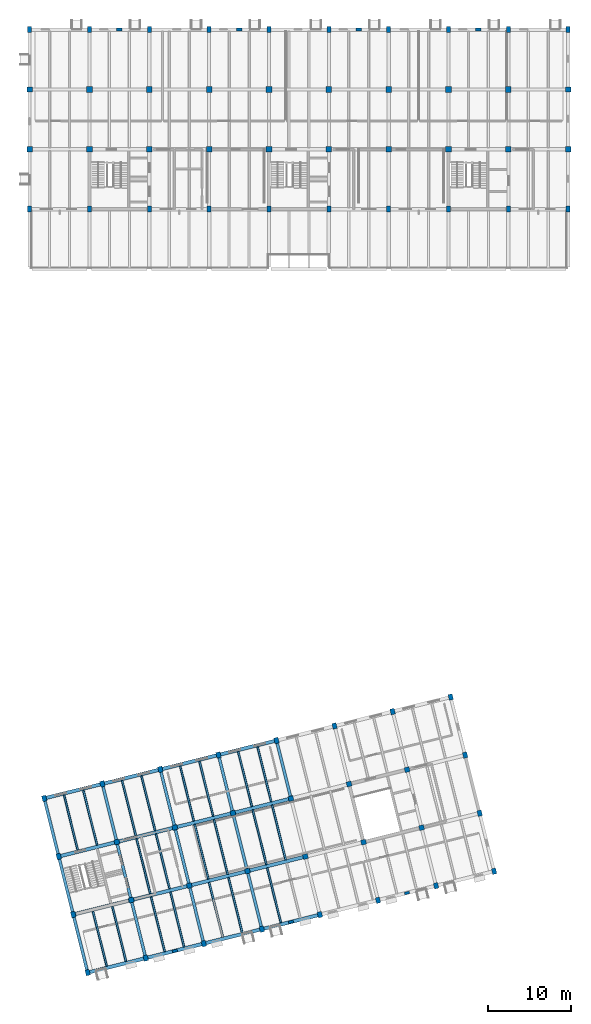
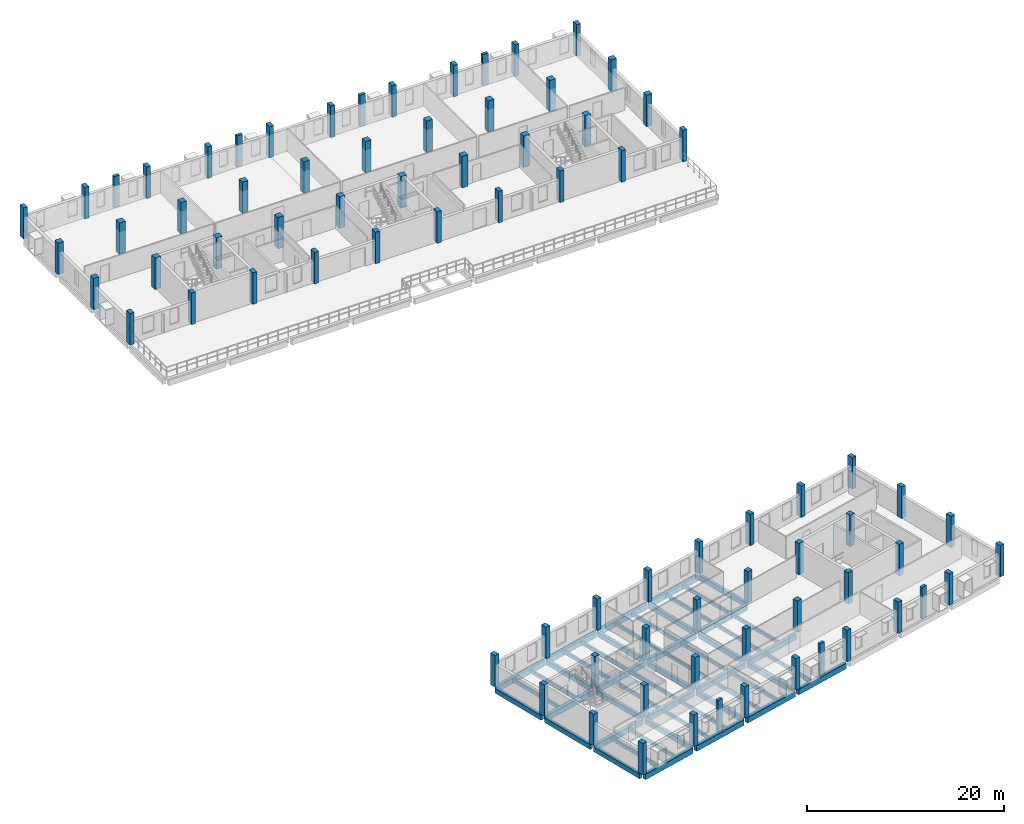
# One storey, part 1 of 14: 79 columns, 50 beams.
"""IFC4 building model written with IfcOpenShell, lengths in metres."""

from ifc_helpers import new_model, si_unit, direction, frame, origin, origin_2d, place, context, subcontext, project, spatial, rectangle, extrude, material, material_profile, profile_set, type_object, element, save


model = new_model("IFC4")

# Units and contexts
model_context = context("Model", 3, precision=1e-05, world=origin(), true_north=direction((0.0, 1.0)))
body_context = subcontext(model_context, "Body", "Model", "MODEL_VIEW")
ifc_project = project(units=[si_unit("LENGTHUNIT", "METRE"), si_unit("AREAUNIT", "SQUARE_METRE"), si_unit("VOLUMEUNIT", "CUBIC_METRE"), si_unit("PLANEANGLEUNIT", "RADIAN"), si_unit("MASSUNIT", "GRAM", prefix="KILO")], contexts=[model_context])

# Site, building, storey
site_placement = place(None, origin())
site = spatial("IfcSite", under=ifc_project, at=site_placement, CompositionType="ELEMENT")
building_placement = place(site_placement, origin())
building = spatial("IfcBuilding", under=site, at=building_placement, Name="Qiaolan Assembly House", CompositionType="ELEMENT")
storey_placement = place(building_placement, frame((0.0, 0.0, 22.5)))
storey = spatial("IfcBuildingStorey", under=building, at=storey_placement, Name="L05", CompositionType="ELEMENT", Elevation=22.5)

# Columns
ifc_material_1 = material(Name="Concrete C40/50", Category="concrete")
ifc_material_profile_1 = material_profile(ifc_material_1, rectangle(XDim=0.60009765625, YDim=0.60009765625, at=origin_2d()), Name="RC 600x600")
ifc_profile_set_1 = profile_set([ifc_material_profile_1], Name="Concrete C40/50")
column_type_1 = type_object("IfcColumnType", Name="COL-RC-600", PredefinedType="COLUMN", material=ifc_profile_set_1)
for number, where, z_axis, x_axis, name in (
    (1, (48.23046875, 10.4697265625, 0.0), (0.0, 0.0, 1.0), (0.970295726276, 0.2419218956, 0.0), "RC-09 splayed column SE L05"),
    (2, (46.488525390625, 17.4560546875, 0.0), (0.0, 0.0, 1.0), (0.970295726276, 0.2419218956, 0.0), "RC-09 splayed column SE L05"),
    (3, (55.216552734375, 12.211669921875, 0.0), (0.0, 0.0, 1.0), (0.970295726276, 0.2419218956, 0.0), "RC-09 splayed column SE L05"),
    (4, (53.474609375, 19.19775390625, 0.0), (0.0, 0.0, 1.0), (0.970295726276, 0.2419218956, 0.0), "RC-09 splayed column SE L05"),
    (5, (62.20263671875, 13.953369140625, 0.0), (0.0, 0.0, 1.0), (0.970295726276, 0.2419218956, 0.0), "RC-09 splayed column SE L05"),
    (6, (60.4609375, 20.939697265625, 0.0), (0.0, 0.0, 1.0), (0.970295726276, 0.2419218956, 0.0), "RC-09 splayed column SE L05"),
    (7, (69.188720703125, 15.6953125, 0.0), (0.0, 0.0, 1.0), (0.970295726276, 0.2419218956, 0.0), "RC-09 splayed column SE L05"),
    (8, (67.447021484375, 22.681396484375, 0.0), (0.0, 0.0, 1.0), (0.970295726276, 0.2419218956, 0.0), "RC-09 splayed column SE L05"),
    (9, (76.175048828125, 17.437255859375, 0.0), (0.0, 0.0, 1.0), (0.970295726276, 0.2419218956, 0.0), "RC-09 splayed column SE L05"),
    (10, (74.43310546875, 24.42333984375, 0.0), (0.0, 0.0, 1.0), (0.970295726276, 0.2419218956, 0.0), "RC-09 splayed column SE L05"),
    (11, (83.1611328125, 19.178955078125, 0.0), (0.0, 0.0, 1.0), (0.970295726276, 0.2419218956, 0.0), "RC-09 splayed column SE L05"),
    (12, (81.419189453125, 26.1650390625, 0.0), (0.0, 0.0, 1.0), (0.970295726276, 0.2419218956, 0.0), "RC-09 splayed column SE L05"),
):
    element("IfcColumn", number, at=place(storey_placement, frame(where, z_axis=z_axis, x_axis=x_axis)), inside=storey, type_object=column_type_1, Name=name, PredefinedType="COLUMN", context=body_context, shape_type="SweptSolid", body=[
        extrude(rectangle(XDim=0.60009765625, YDim=0.60009765625, at=origin_2d()), origin(), (0.0, 0.0, 1.0), 3.89990234375),
    ])
ifc_material_profile_2 = material_profile(ifc_material_1, rectangle(XDim=0.64990234375, YDim=0.64990234375, at=origin_2d()), Name="RC 650x650")
ifc_profile_set_2 = profile_set([ifc_material_profile_2], Name="Concrete C40/50")
column_type_2 = type_object("IfcColumnType", Name="COL-RC-650", PredefinedType="COLUMN", material=ifc_profile_set_2)
for number, where, z_axis, x_axis, name in (
    (13, (36.0, 100.800048828125, 0.0), (0.0, 0.0, 1.0), (1.0, 0.0, 0.0), "RC-08 column NW L05"),
    (14, (36.0, 108.0, 0.0), (0.0, 0.0, 1.0), (1.0, 0.0, 0.0), "RC-08 column NW L05"),
    (15, (100.800048828125, 100.800048828125, 0.0), (0.0, 0.0, 1.0), (1.0, 0.0, 0.0), "RC-08 column NW L05"),
    (16, (100.800048828125, 108.0, 0.0), (0.0, 0.0, 1.0), (1.0, 0.0, 0.0), "RC-08 column NW L05"),
):
    element("IfcColumn", number, at=place(storey_placement, frame(where, z_axis=z_axis, x_axis=x_axis)), inside=storey, type_object=column_type_2, Name=name, PredefinedType="COLUMN", context=body_context, shape_type="SweptSolid", body=[
        extrude(rectangle(XDim=0.64990234375, YDim=0.64990234375, at=origin_2d()), origin(), (0.0, 0.0, 1.0), 3.89990234375),
    ])
ifc_material_profile_3 = material_profile(ifc_material_1, rectangle(XDim=0.679931640625, YDim=0.679931640625, at=origin_2d()), Name="RC 680x680")
ifc_profile_set_3 = profile_set([ifc_material_profile_3], Name="Concrete C40/50")
column_type_3 = type_object("IfcColumnType", Name="COL-RC-680", PredefinedType="COLUMN", material=ifc_profile_set_3)
for number, where, z_axis, x_axis, name in (
    (17, (43.199951171875, 100.800048828125, 0.0), (0.0, 0.0, 1.0), (1.0, 0.0, 0.0), "RC-21 column NW L05"),
    (18, (43.199951171875, 108.0, 0.0), (0.0, 0.0, 1.0), (1.0, 0.0, 0.0), "RC-21 column NW L05"),
    (19, (50.39990234375, 100.800048828125, 0.0), (0.0, 0.0, 1.0), (1.0, 0.0, 0.0), "RC-21 column NW L05"),
    (20, (50.39990234375, 108.0, 0.0), (0.0, 0.0, 1.0), (1.0, 0.0, 0.0), "RC-21 column NW L05"),
    (21, (57.60009765625, 100.800048828125, 0.0), (0.0, 0.0, 1.0), (1.0, 0.0, 0.0), "RC-21 column NW L05"),
    (22, (57.60009765625, 108.0, 0.0), (0.0, 0.0, 1.0), (1.0, 0.0, 0.0), "RC-21 column NW L05"),
    (23, (64.800048828125, 100.800048828125, 0.0), (0.0, 0.0, 1.0), (1.0, 0.0, 0.0), "RC-21 column NW L05"),
    (24, (64.800048828125, 108.0, 0.0), (0.0, 0.0, 1.0), (1.0, 0.0, 0.0), "RC-21 column NW L05"),
    (25, (72.0, 100.800048828125, 0.0), (0.0, 0.0, 1.0), (1.0, 0.0, 0.0), "RC-21 column NW L05"),
    (26, (72.0, 108.0, 0.0), (0.0, 0.0, 1.0), (1.0, 0.0, 0.0), "RC-21 column NW L05"),
    (27, (79.199951171875, 100.800048828125, 0.0), (0.0, 0.0, 1.0), (1.0, 0.0, 0.0), "RC-21 column NW L05"),
    (28, (79.199951171875, 108.0, 0.0), (0.0, 0.0, 1.0), (1.0, 0.0, 0.0), "RC-21 column NW L05"),
    (29, (86.39990234375, 100.800048828125, 0.0), (0.0, 0.0, 1.0), (1.0, 0.0, 0.0), "RC-21 column NW L05"),
    (30, (86.39990234375, 108.0, 0.0), (0.0, 0.0, 1.0), (1.0, 0.0, 0.0), "RC-21 column NW L05"),
    (31, (93.60009765625, 100.800048828125, 0.0), (0.0, 0.0, 1.0), (1.0, 0.0, 0.0), "RC-21 column NW L05"),
    (32, (93.60009765625, 108.0, 0.0), (0.0, 0.0, 1.0), (1.0, 0.0, 0.0), "RC-21 column NW L05"),
):
    element("IfcColumn", number, at=place(storey_placement, frame(where, z_axis=z_axis, x_axis=x_axis)), inside=storey, type_object=column_type_3, Name=name, PredefinedType="COLUMN", context=body_context, shape_type="SweptSolid", body=[
        extrude(rectangle(XDim=0.679931640625, YDim=0.679931640625, at=origin_2d()), origin(), (0.0, 0.0, 1.0), 3.89990234375),
    ])
ifc_material_profile_4 = material_profile(ifc_material_1, rectangle(XDim=0.52001953125, YDim=0.699951171875, at=origin_2d()), Name="RC 700x520")
ifc_profile_set_4 = profile_set([ifc_material_profile_4], Name="Concrete C40/50")
column_type_4 = type_object("IfcColumnType", Name="COL-RC-700x520", PredefinedType="COLUMN", material=ifc_profile_set_4)
for number, where, z_axis, x_axis, name in (
    (33, (42.986083984375, 1.741943359375, 0.0), (0.0, 0.0, 1.0), (0.970295726276, 0.2419218956, 0.0), "RC-16 splayed column SE L05"),
    (34, (41.244384765625, 8.72802734375, 0.0), (0.0, 0.0, 1.0), (0.970295726276, 0.2419218956, 0.0), "RC-16 splayed column SE L05"),
    (35, (39.50244140625, 15.714111328125, 0.0), (0.0, 0.0, 1.0), (0.970295726276, 0.2419218956, 0.0), "RC-16 splayed column SE L05"),
    (36, (37.760498046875, 22.7001953125, 0.0), (0.0, 0.0, 1.0), (0.970295726276, 0.2419218956, 0.0), "RC-16 splayed column SE L05"),
    (37, (49.97216796875, 3.483642578125, 0.0), (0.0, 0.0, 1.0), (0.970295726276, 0.2419218956, 0.0), "RC-16 splayed column SE L05"),
    (38, (44.746826171875, 24.442138671875, 0.0), (0.0, 0.0, 1.0), (0.970295726276, 0.2419218956, 0.0), "RC-16 splayed column SE L05"),
    (39, (56.95849609375, 5.2255859375, 0.0), (0.0, 0.0, 1.0), (0.970295726276, 0.2419218956, 0.0), "RC-16 splayed column SE L05"),
    (40, (51.73291015625, 26.183837890625, 0.0), (0.0, 0.0, 1.0), (0.970295726276, 0.2419218956, 0.0), "RC-16 splayed column SE L05"),
    (41, (63.944580078125, 6.96728515625, 0.0), (0.0, 0.0, 1.0), (0.970295726276, 0.2419218956, 0.0), "RC-16 splayed column SE L05"),
    (42, (58.718994140625, 27.92578125, 0.0), (0.0, 0.0, 1.0), (0.970295726276, 0.2419218956, 0.0), "RC-16 splayed column SE L05"),
    (43, (70.9306640625, 8.709228515625, 0.0), (0.0, 0.0, 1.0), (0.970295726276, 0.2419218956, 0.0), "RC-16 splayed column SE L05"),
    (44, (65.705078125, 29.66748046875, 0.0), (0.0, 0.0, 1.0), (0.970295726276, 0.2419218956, 0.0), "RC-16 splayed column SE L05"),
    (45, (77.916748046875, 10.450927734375, 0.0), (0.0, 0.0, 1.0), (0.970295726276, 0.2419218956, 0.0), "RC-16 splayed column SE L05"),
    (46, (72.691162109375, 31.409423828125, 0.0), (0.0, 0.0, 1.0), (0.970295726276, 0.2419218956, 0.0), "RC-16 splayed column SE L05"),
    (47, (84.90283203125, 12.19287109375, 0.0), (0.0, 0.0, 1.0), (0.970295726276, 0.2419218956, 0.0), "RC-16 splayed column SE L05"),
    (48, (79.677490234375, 33.1513671875, 0.0), (0.0, 0.0, 1.0), (0.970295726276, 0.2419218956, 0.0), "RC-16 splayed column SE L05"),
    (49, (91.888916015625, 13.934814453125, 0.0), (0.0, 0.0, 1.0), (0.970295726276, 0.2419218956, 0.0), "RC-16 splayed column SE L05"),
    (50, (90.147216796875, 20.9208984375, 0.0), (0.0, 0.0, 1.0), (0.970295726276, 0.2419218956, 0.0), "RC-16 splayed column SE L05"),
    (51, (88.4052734375, 27.906982421875, 0.0), (0.0, 0.0, 1.0), (0.970295726276, 0.2419218956, 0.0), "RC-16 splayed column SE L05"),
    (52, (86.66357421875, 34.89306640625, 0.0), (0.0, 0.0, 1.0), (0.970295726276, 0.2419218956, 0.0), "RC-16 splayed column SE L05"),
):
    element("IfcColumn", number, at=place(storey_placement, frame(where, z_axis=z_axis, x_axis=x_axis)), inside=storey, type_object=column_type_4, Name=name, PredefinedType="COLUMN", context=body_context, shape_type="SweptSolid", body=[
        extrude(rectangle(XDim=0.52001953125, YDim=0.699951171875, at=origin_2d()), origin(), (0.0, 0.0, 1.0), 3.89990234375),
    ])
ifc_material_profile_5 = material_profile(ifc_material_1, rectangle(XDim=0.47998046875, YDim=0.7099609375, at=origin_2d()), Name="RC 710x480")
ifc_profile_set_5 = profile_set([ifc_material_profile_5], Name="Concrete C40/50")
column_type_5 = type_object("IfcColumnType", Name="COL-RC-710x480", PredefinedType="COLUMN", material=ifc_profile_set_5)
for number, where, z_axis, x_axis, name in (
    (53, (36.0, 93.60009765625, 0.0), (0.0, 0.0, 1.0), (1.0, 0.0, 0.0), "RC-19 column NW L05"),
    (54, (36.0, 115.199951171875, 0.0), (0.0, 0.0, 1.0), (1.0, 0.0, 0.0), "RC-19 column NW L05"),
    (55, (43.199951171875, 93.60009765625, 0.0), (0.0, 0.0, 1.0), (1.0, 0.0, 0.0), "RC-19 column NW L05"),
    (56, (43.199951171875, 115.199951171875, 0.0), (0.0, 0.0, 1.0), (1.0, 0.0, 0.0), "RC-19 column NW L05"),
    (57, (50.39990234375, 93.60009765625, 0.0), (0.0, 0.0, 1.0), (1.0, 0.0, 0.0), "RC-19 column NW L05"),
    (58, (50.39990234375, 115.199951171875, 0.0), (0.0, 0.0, 1.0), (1.0, 0.0, 0.0), "RC-19 column NW L05"),
    (59, (57.60009765625, 93.60009765625, 0.0), (0.0, 0.0, 1.0), (1.0, 0.0, 0.0), "RC-19 column NW L05"),
    (60, (57.60009765625, 115.199951171875, 0.0), (0.0, 0.0, 1.0), (1.0, 0.0, 0.0), "RC-19 column NW L05"),
    (61, (64.800048828125, 93.60009765625, 0.0), (0.0, 0.0, 1.0), (1.0, 0.0, 0.0), "RC-19 column NW L05"),
    (62, (64.800048828125, 115.199951171875, 0.0), (0.0, 0.0, 1.0), (1.0, 0.0, 0.0), "RC-19 column NW L05"),
    (63, (72.0, 93.60009765625, 0.0), (0.0, 0.0, 1.0), (1.0, 0.0, 0.0), "RC-19 column NW L05"),
    (64, (72.0, 115.199951171875, 0.0), (0.0, 0.0, 1.0), (1.0, 0.0, 0.0), "RC-19 column NW L05"),
    (65, (79.199951171875, 93.60009765625, 0.0), (0.0, 0.0, 1.0), (1.0, 0.0, 0.0), "RC-19 column NW L05"),
    (66, (79.199951171875, 115.199951171875, 0.0), (0.0, 0.0, 1.0), (1.0, 0.0, 0.0), "RC-19 column NW L05"),
    (67, (86.39990234375, 93.60009765625, 0.0), (0.0, 0.0, 1.0), (1.0, 0.0, 0.0), "RC-19 column NW L05"),
    (68, (86.39990234375, 115.199951171875, 0.0), (0.0, 0.0, 1.0), (1.0, 0.0, 0.0), "RC-19 column NW L05"),
    (69, (93.60009765625, 93.60009765625, 0.0), (0.0, 0.0, 1.0), (1.0, 0.0, 0.0), "RC-19 column NW L05"),
    (70, (93.60009765625, 115.199951171875, 0.0), (0.0, 0.0, 1.0), (1.0, 0.0, 0.0), "RC-19 column NW L05"),
    (71, (100.800048828125, 93.60009765625, 0.0), (0.0, 0.0, 1.0), (1.0, 0.0, 0.0), "RC-19 column NW L05"),
    (72, (100.800048828125, 115.199951171875, 0.0), (0.0, 0.0, 1.0), (1.0, 0.0, 0.0), "RC-19 column NW L05"),
):
    element("IfcColumn", number, at=place(storey_placement, frame(where, z_axis=z_axis, x_axis=x_axis)), inside=storey, type_object=column_type_5, Name=name, PredefinedType="COLUMN", context=body_context, shape_type="SweptSolid", body=[
        extrude(rectangle(XDim=0.47998046875, YDim=0.7099609375, at=origin_2d()), origin(), (0.0, 0.0, 1.0), 3.89990234375),
    ])
ifc_material_2 = material(Name="Precast concrete C45/55", Category="concrete")
ifc_material_profile_6 = material_profile(ifc_material_2, rectangle(XDim=0.659912109375, YDim=0.35009765625, at=origin_2d()), Name="PIL 660x350")
ifc_profile_set_6 = profile_set([ifc_material_profile_6], Name="Precast concrete C45/55")
column_type_6 = type_object("IfcColumnType", Name="PIL-NW-660x350", PredefinedType="PILASTER", material=ifc_profile_set_6)
for number, where, z_axis, x_axis, name in (
    (73, (46.800048828125, 115.199951171875, 0.0), (0.0, 0.0, 1.0), (1.0, 0.0, 0.0), "PL-07 neoclassical pilaster NW L05"),
    (74, (61.199951171875, 115.199951171875, 0.0), (0.0, 0.0, 1.0), (1.0, 0.0, 0.0), "PL-07 neoclassical pilaster NW L05"),
    (75, (75.60009765625, 115.199951171875, 0.0), (0.0, 0.0, 1.0), (1.0, 0.0, 0.0), "PL-07 neoclassical pilaster NW L05"),
    (76, (90.0, 115.199951171875, 0.0), (0.0, 0.0, 1.0), (1.0, 0.0, 0.0), "PL-07 neoclassical pilaster NW L05"),
):
    element("IfcColumn", number, at=place(storey_placement, frame(where, z_axis=z_axis, x_axis=x_axis)), inside=storey, type_object=column_type_6, Name=name, PredefinedType="PILASTER", context=body_context, shape_type="SweptSolid", body=[
        extrude(rectangle(XDim=0.659912109375, YDim=0.35009765625, at=origin_2d()), origin(), (0.0, 0.0, 1.0), 3.89990234375),
    ])
ifc_material_profile_7 = material_profile(ifc_material_2, rectangle(XDim=0.610107421875, YDim=0.320068359375, at=origin_2d()), Name="PIL 610x320")
ifc_profile_set_7 = profile_set([ifc_material_profile_7], Name="Precast concrete C45/55")
column_type_7 = type_object("IfcColumnType", Name="PIL-SE-610x320", PredefinedType="PILASTER", material=ifc_profile_set_7)
for number, where, z_axis, x_axis, name in (
    (77, (53.46533203125, 4.3544921875, 0.0), (0.0, 0.0, 1.0), (0.970295726276, 0.2419218956, 0.0), "PL-08 boulevard pilaster SE L05"),
    (78, (67.4375, 7.83837890625, 0.0), (0.0, 0.0, 1.0), (0.970295726276, 0.2419218956, 0.0), "PL-08 boulevard pilaster SE L05"),
    (79, (81.409912109375, 11.322021484375, 0.0), (0.0, 0.0, 1.0), (0.970295726276, 0.2419218956, 0.0), "PL-08 boulevard pilaster SE L05"),
):
    element("IfcColumn", number, at=place(storey_placement, frame(where, z_axis=z_axis, x_axis=x_axis)), inside=storey, type_object=column_type_7, Name=name, PredefinedType="PILASTER", context=body_context, shape_type="SweptSolid", body=[
        extrude(rectangle(XDim=0.610107421875, YDim=0.320068359375, at=origin_2d()), origin(), (0.0, 0.0, 1.0), 3.89990234375),
    ])

# Beams
ifc_material_profile_8 = material_profile(ifc_material_1, rectangle(XDim=0.35009765625, YDim=0.60009765625, at=origin_2d()), Name="RCB 350x600")
ifc_profile_set_8 = profile_set([ifc_material_profile_8], Name="Concrete C40/50")
beam_type_1 = type_object("IfcBeamType", Name="BM-RC-350x600", PredefinedType="BEAM", material=ifc_profile_set_8)
for number, where, z_axis, x_axis, name in (
    (80, (42.925537109375, 1.984375, -0.514892578125), (-0.241918257079, 0.970296633454, 0.0), (-0.970296633454, -0.241918257079, 0.0), "GB-08 beam BMV-SE-L05-00-00"),
    (81, (41.183837890625, 8.970458984375, -0.514892578125), (-0.241918257079, 0.970296633454, 0.0), (-0.970296633454, -0.241918257079, 0.0), "GB-08 beam BMV-SE-L05-00-01"),
    (82, (39.44189453125, 15.956787109375, -0.514892578125), (-0.241918257079, 0.970296633454, 0.0), (-0.970296633454, -0.241918257079, 0.0), "GB-08 beam BMV-SE-L05-00-02"),
):
    element("IfcBeam", number, at=place(storey_placement, frame(where, z_axis=z_axis, x_axis=x_axis)), inside=storey, type_object=beam_type_1, Name=name, PredefinedType="BEAM", context=body_context, shape_type="SweptSolid", body=[
        extrude(rectangle(XDim=0.35009765625, YDim=0.60009765625, at=origin_2d()), origin(), (0.0, 0.0, 1.0), 6.699951171875),
    ])
beam_1_placement = place(storey_placement, frame((49.911865234375, 3.726318359375, -0.514892578125), z_axis=(-0.241940431812, 0.970291104491, 0.0), x_axis=(-0.970291104491, -0.241940431812, 0.0)))
element("IfcBeam", 83, at=beam_1_placement, inside=storey, type_object=beam_type_1, Name="GB-08 beam BMV-SE-L05-01-00", PredefinedType="BEAM", context=body_context, shape_type="SweptSolid", body=[
    extrude(rectangle(XDim=0.35009765625, YDim=0.60009765625, at=origin_2d()), origin(), (0.0, 0.0, 1.0), 6.659912109375),
])
beam_2_placement = place(storey_placement, frame((48.16015625, 10.751220703125, -0.514892578125), z_axis=(-0.241893432628, 0.970302822448, 0.0), x_axis=(-0.970302822448, -0.241893432628, 0.0)))
element("IfcBeam", 84, at=beam_2_placement, inside=storey, type_object=beam_type_1, Name="GB-08 beam BMV-SE-L05-01-01", PredefinedType="BEAM", context=body_context, shape_type="SweptSolid", body=[
    extrude(rectangle(XDim=0.35009765625, YDim=0.60009765625, at=origin_2d()), origin(), (0.0, 0.0, 1.0), 6.619873046875),
])
for number, where, z_axis, x_axis, name in (
    (85, (46.41845703125, 17.7373046875, -0.514892578125), (-0.241940431812, 0.970291104491, 0.0), (-0.970291104491, -0.241940431812, 0.0), "GB-08 beam BMV-SE-L05-01-02"),
    (86, (56.89794921875, 5.468017578125, -0.514892578125), (-0.241940431812, 0.970291104491, 0.0), (-0.970291104491, -0.241940431812, 0.0), "GB-08 beam BMV-SE-L05-02-00"),
):
    element("IfcBeam", number, at=place(storey_placement, frame(where, z_axis=z_axis, x_axis=x_axis)), inside=storey, type_object=beam_type_1, Name=name, PredefinedType="BEAM", context=body_context, shape_type="SweptSolid", body=[
        extrude(rectangle(XDim=0.35009765625, YDim=0.60009765625, at=origin_2d()), origin(), (0.0, 0.0, 1.0), 6.659912109375),
    ])
beam_3_placement = place(storey_placement, frame((55.146484375, 12.492919921875, -0.514892578125), z_axis=(-0.241919497068, 0.970296324294, 0.0), x_axis=(-0.970296324294, -0.241919497068, 0.0)))
element("IfcBeam", 87, at=beam_3_placement, inside=storey, type_object=beam_type_1, Name="GB-08 beam BMV-SE-L05-02-01", PredefinedType="BEAM", context=body_context, shape_type="SweptSolid", body=[
    extrude(rectangle(XDim=0.35009765625, YDim=0.60009765625, at=origin_2d()), origin(), (0.0, 0.0, 1.0), 6.6201171875),
])
for number, where, z_axis, x_axis, name in (
    (88, (53.404541015625, 19.479248046875, -0.514892578125), (-0.241905919473, 0.970299709432, 0.0), (-0.970299709432, -0.241905919473, 0.0), "GB-08 beam BMV-SE-L05-02-02"),
    (89, (63.884033203125, 7.2099609375, -0.514892578125), (-0.241905919473, 0.970299709432, 0.0), (-0.970299709432, -0.241905919473, 0.0), "GB-08 beam BMV-SE-L05-03-00"),
):
    element("IfcBeam", number, at=place(storey_placement, frame(where, z_axis=z_axis, x_axis=x_axis)), inside=storey, type_object=beam_type_1, Name=name, PredefinedType="BEAM", context=body_context, shape_type="SweptSolid", body=[
        extrude(rectangle(XDim=0.35009765625, YDim=0.60009765625, at=origin_2d()), origin(), (0.0, 0.0, 1.0), 6.659912109375),
    ])
beam_4_placement = place(storey_placement, frame((62.132568359375, 14.23486328125, -0.514892578125), z_axis=(-0.241928153868, 0.970294165893, 0.0), x_axis=(-0.970294165893, -0.241928153868, 0.0)))
element("IfcBeam", 90, at=beam_4_placement, inside=storey, type_object=beam_type_1, Name="GB-08 beam BMV-SE-L05-03-01", PredefinedType="BEAM", context=body_context, shape_type="SweptSolid", body=[
    extrude(rectangle(XDim=0.35009765625, YDim=0.60009765625, at=origin_2d()), origin(), (0.0, 0.0, 1.0), 6.619873046875),
])
for number, where, z_axis, x_axis, name in (
    (91, (60.390625, 21.220947265625, -0.514892578125), (-0.241905919473, 0.970299709432, 0.0), (-0.970299709432, -0.241905919473, 0.0), "GB-08 beam BMV-SE-L05-03-02"),
    (92, (67.376708984375, 22.962890625, -0.514892578125), (-0.241905919473, 0.970299709432, 0.0), (-0.970299709432, -0.241905919473, 0.0), "GB-08 beam BMV-SE-L05-04-02"),
):
    element("IfcBeam", number, at=place(storey_placement, frame(where, z_axis=z_axis, x_axis=x_axis)), inside=storey, type_object=beam_type_1, Name=name, PredefinedType="BEAM", context=body_context, shape_type="SweptSolid", body=[
        extrude(rectangle(XDim=0.35009765625, YDim=0.60009765625, at=origin_2d()), origin(), (0.0, 0.0, 1.0), 6.659912109375),
    ])
ifc_material_profile_9 = material_profile(ifc_material_1, rectangle(XDim=0.419921875, YDim=0.679931640625, at=origin_2d()), Name="RCB 420x680")
ifc_profile_set_9 = profile_set([ifc_material_profile_9], Name="Concrete C40/50")
beam_type_2 = type_object("IfcBeamType", Name="BM-RC-420x680", PredefinedType="BEAM", material=ifc_profile_set_9)
for number, where, z_axis, x_axis, name in (
    (93, (43.228759765625, 1.80224609375, -0.554931640625), (0.970296633454, 0.241918257079, 0.0), (-0.241918257079, 0.970296633454, 0.0), "GB-12 beam BMU-SE-L05-00-00"),
    (94, (50.21484375, 3.544189453125, -0.554931640625), (0.970296633454, 0.241918257079, 0.0), (-0.241918257079, 0.970296633454, 0.0), "GB-12 beam BMU-SE-L05-01-00"),
    (95, (57.200927734375, 5.285888671875, -0.554931640625), (0.970288079516, 0.241952563016, 0.0), (-0.241952563016, 0.970288079516, 0.0), "GB-12 beam BMU-SE-L05-02-00"),
    (96, (64.18701171875, 7.02783203125, -0.554931640625), (0.970296633454, 0.241918257079, 0.0), (-0.241918257079, 0.970296633454, 0.0), "GB-12 beam BMU-SE-L05-03-00"),
):
    element("IfcBeam", number, at=place(storey_placement, frame(where, z_axis=z_axis, x_axis=x_axis)), inside=storey, type_object=beam_type_2, Name=name, PredefinedType="BEAM", context=body_context, shape_type="SweptSolid", body=[
        extrude(rectangle(XDim=0.419921875, YDim=0.679931640625, at=origin_2d()), origin(), (0.0, 0.0, 1.0), 6.699951171875),
    ])
beam_5_placement = place(storey_placement, frame((41.48681640625, 8.788330078125, -0.554931640625), z_axis=(0.970291104491, 0.241940431812, 0.0), x_axis=(-0.241940431812, 0.970291104491, 0.0)))
element("IfcBeam", 97, at=beam_5_placement, inside=storey, type_object=beam_type_2, Name="GB-12 beam BMU-SE-L05-00-01", PredefinedType="BEAM", context=body_context, shape_type="SweptSolid", body=[
    extrude(rectangle(XDim=0.419921875, YDim=0.679931640625, at=origin_2d()), origin(), (0.0, 0.0, 1.0), 6.659912109375),
])
for number, where, z_axis, x_axis, name in (
    (98, (48.51171875, 10.5400390625, -0.554931640625), (0.970294165893, 0.241928153868, 0.0), (-0.241928153868, 0.970294165893, 0.0), "GB-12 beam BMU-SE-L05-01-01"),
    (99, (55.498046875, 12.28173828125, -0.554931640625), (0.970294165893, 0.241928153868, 0.0), (-0.241928153868, 0.970294165893, 0.0), "GB-12 beam BMU-SE-L05-02-01"),
    (100, (62.484130859375, 14.023681640625, -0.554931640625), (0.970294165893, 0.241928153868, 0.0), (-0.241928153868, 0.970294165893, 0.0), "GB-12 beam BMU-SE-L05-03-01"),
):
    element("IfcBeam", number, at=place(storey_placement, frame(where, z_axis=z_axis, x_axis=x_axis)), inside=storey, type_object=beam_type_2, Name=name, PredefinedType="BEAM", context=body_context, shape_type="SweptSolid", body=[
        extrude(rectangle(XDim=0.419921875, YDim=0.679931640625, at=origin_2d()), origin(), (0.0, 0.0, 1.0), 6.619873046875),
    ])
beam_6_placement = place(storey_placement, frame((39.7451171875, 15.774658203125, -0.554931640625), z_axis=(0.970299709432, 0.241905919473, 0.0), x_axis=(-0.241905919473, 0.970299709432, 0.0)))
element("IfcBeam", 101, at=beam_6_placement, inside=storey, type_object=beam_type_2, Name="GB-12 beam BMU-SE-L05-00-02", PredefinedType="BEAM", context=body_context, shape_type="SweptSolid", body=[
    extrude(rectangle(XDim=0.419921875, YDim=0.679931640625, at=origin_2d()), origin(), (0.0, 0.0, 1.0), 6.659912109375),
])
for number, where, z_axis, x_axis, name in (
    (102, (46.77001953125, 17.526123046875, -0.554931640625), (0.970294165893, 0.241928153868, 0.0), (-0.241928153868, 0.970294165893, 0.0), "GB-12 beam BMU-SE-L05-01-02"),
    (103, (53.756103515625, 19.267822265625, -0.554931640625), (0.970294165893, 0.241928153868, 0.0), (-0.241928153868, 0.970294165893, 0.0), "GB-12 beam BMU-SE-L05-02-02"),
    (104, (60.7421875, 21.009765625, -0.554931640625), (0.970294165893, 0.241928153868, 0.0), (-0.241928153868, 0.970294165893, 0.0), "GB-12 beam BMU-SE-L05-03-02"),
):
    element("IfcBeam", number, at=place(storey_placement, frame(where, z_axis=z_axis, x_axis=x_axis)), inside=storey, type_object=beam_type_2, Name=name, PredefinedType="BEAM", context=body_context, shape_type="SweptSolid", body=[
        extrude(rectangle(XDim=0.419921875, YDim=0.679931640625, at=origin_2d()), origin(), (0.0, 0.0, 1.0), 6.619873046875),
    ])
for number, where, z_axis, x_axis, name in (
    (105, (38.003173828125, 22.7607421875, -0.554931640625), (0.970296633454, 0.241918257079, 0.0), (-0.241918257079, 0.970296633454, 0.0), "GB-12 beam BMU-SE-L05-00-03"),
    (106, (44.9892578125, 24.50244140625, -0.554931640625), (0.970288079516, 0.241952563016, 0.0), (-0.241952563016, 0.970288079516, 0.0), "GB-12 beam BMU-SE-L05-01-03"),
    (107, (51.975341796875, 26.244384765625, -0.554931640625), (0.970296633454, 0.241918257079, 0.0), (-0.241918257079, 0.970296633454, 0.0), "GB-12 beam BMU-SE-L05-02-03"),
    (108, (58.961669921875, 27.986328125, -0.554931640625), (0.970296633454, 0.241918257079, 0.0), (-0.241918257079, 0.970296633454, 0.0), "GB-12 beam BMU-SE-L05-03-03"),
):
    element("IfcBeam", number, at=place(storey_placement, frame(where, z_axis=z_axis, x_axis=x_axis)), inside=storey, type_object=beam_type_2, Name=name, PredefinedType="BEAM", context=body_context, shape_type="SweptSolid", body=[
        extrude(rectangle(XDim=0.419921875, YDim=0.679931640625, at=origin_2d()), origin(), (0.0, 0.0, 1.0), 6.699951171875),
    ])
ifc_material_profile_10 = material_profile(ifc_material_1, rectangle(XDim=0.219970703125, YDim=0.419921875, at=origin_2d()), Name="RCB 220x420")
ifc_profile_set_10 = profile_set([ifc_material_profile_10], Name="Concrete C40/50")
beam_type_3 = type_object("IfcBeamType", Name="JST-RC-220x420", PredefinedType="JOIST", material=ifc_profile_set_10)
for number, where, z_axis, x_axis, name in (
    (109, (45.265380859375, 2.5205078125, -0.425048828125), (-0.241918146508, 0.970296661022, 0.0), (-0.970296661022, -0.241918146508, 0.0), "RJ-03 beam JST-SE-L05-00-00-1"),
    (110, (47.59423828125, 3.10107421875, -0.425048828125), (-0.241918146508, 0.970296661022, 0.0), (-0.970296661022, -0.241918146508, 0.0), "RJ-03 beam JST-SE-L05-00-00-2"),
):
    element("IfcBeam", number, at=place(storey_placement, frame(where, z_axis=z_axis, x_axis=x_axis)), inside=storey, type_object=beam_type_3, Name=name, PredefinedType="JOIST", context=body_context, shape_type="SweptSolid", body=[
        extrude(rectangle(XDim=0.219970703125, YDim=0.419921875, at=origin_2d()), origin(), (0.0, 0.0, 1.0), 6.791748046875),
    ])
beam_7_placement = place(storey_placement, frame((41.78173828125, 16.49267578125, -0.425048828125), z_axis=(-0.241909709048, 0.970298764643, 0.0), x_axis=(-0.970298764643, -0.241909709048, 0.0)))
element("IfcBeam", 111, at=beam_7_placement, inside=storey, type_object=beam_type_3, Name="RJ-03 beam JST-SE-L05-00-02-1", PredefinedType="JOIST", context=body_context, shape_type="SweptSolid", body=[
    extrude(rectangle(XDim=0.219970703125, YDim=0.419921875, at=origin_2d()), origin(), (0.0, 0.0, 1.0), 6.7919921875),
])
for number, where, z_axis, x_axis, name in (
    (112, (44.110595703125, 17.0732421875, -0.425048828125), (-0.241943550075, 0.970290326952, 0.0), (-0.970290326952, -0.241943550075, 0.0), "RJ-03 beam JST-SE-L05-00-02-2"),
    (113, (52.251708984375, 4.26220703125, -0.425048828125), (-0.241943550075, 0.970290326952, 0.0), (-0.970290326952, -0.241943550075, 0.0), "RJ-03 beam JST-SE-L05-01-00-1"),
):
    element("IfcBeam", number, at=place(storey_placement, frame(where, z_axis=z_axis, x_axis=x_axis)), inside=storey, type_object=beam_type_3, Name=name, PredefinedType="JOIST", context=body_context, shape_type="SweptSolid", body=[
        extrude(rectangle(XDim=0.219970703125, YDim=0.419921875, at=origin_2d()), origin(), (0.0, 0.0, 1.0), 6.792236328125),
    ])
for number, where, z_axis, x_axis, name in (
    (114, (54.580322265625, 4.8427734375, -0.425048828125), (-0.241909709048, 0.970298764643, 0.0), (-0.970298764643, -0.241909709048, 0.0), "RJ-03 beam JST-SE-L05-01-00-2"),
    (115, (50.509765625, 11.248291015625, -0.425048828125), (-0.241909709048, 0.970298764643, 0.0), (-0.970298764643, -0.241909709048, 0.0), "RJ-03 beam JST-SE-L05-01-01-1"),
    (116, (52.83837890625, 11.828857421875, -0.425048828125), (-0.241909709048, 0.970298764643, 0.0), (-0.970298764643, -0.241909709048, 0.0), "RJ-03 beam JST-SE-L05-01-01-2"),
    (117, (48.767822265625, 18.234375, -0.425048828125), (-0.241909709048, 0.970298764643, 0.0), (-0.970298764643, -0.241909709048, 0.0), "RJ-03 beam JST-SE-L05-01-02-1"),
):
    element("IfcBeam", number, at=place(storey_placement, frame(where, z_axis=z_axis, x_axis=x_axis)), inside=storey, type_object=beam_type_3, Name=name, PredefinedType="JOIST", context=body_context, shape_type="SweptSolid", body=[
        extrude(rectangle(XDim=0.219970703125, YDim=0.419921875, at=origin_2d()), origin(), (0.0, 0.0, 1.0), 6.7919921875),
    ])
for number, where, z_axis, x_axis, name in (
    (118, (51.0966796875, 18.815185546875, -0.425048828125), (-0.241918146508, 0.970296661022, 0.0), (-0.970296661022, -0.241918146508, 0.0), "RJ-03 beam JST-SE-L05-01-02-2"),
    (119, (59.23779296875, 6.004150390625, -0.425048828125), (-0.241918146508, 0.970296661022, 0.0), (-0.970296661022, -0.241918146508, 0.0), "RJ-03 beam JST-SE-L05-02-00-1"),
):
    element("IfcBeam", number, at=place(storey_placement, frame(where, z_axis=z_axis, x_axis=x_axis)), inside=storey, type_object=beam_type_3, Name=name, PredefinedType="JOIST", context=body_context, shape_type="SweptSolid", body=[
        extrude(rectangle(XDim=0.219970703125, YDim=0.419921875, at=origin_2d()), origin(), (0.0, 0.0, 1.0), 6.791748046875),
    ])
beam_8_placement = place(storey_placement, frame((61.56640625, 6.584716796875, -0.425048828125), z_axis=(-0.241909709048, 0.970298764643, 0.0), x_axis=(-0.970298764643, -0.241909709048, 0.0)))
element("IfcBeam", 120, at=beam_8_placement, inside=storey, type_object=beam_type_3, Name="RJ-03 beam JST-SE-L05-02-00-2", PredefinedType="JOIST", context=body_context, shape_type="SweptSolid", body=[
    extrude(rectangle(XDim=0.219970703125, YDim=0.419921875, at=origin_2d()), origin(), (0.0, 0.0, 1.0), 6.7919921875),
])
beam_9_placement = place(storey_placement, frame((57.495849609375, 12.990234375, -0.425048828125), z_axis=(-0.241918146508, 0.970296661022, 0.0), x_axis=(-0.970296661022, -0.241918146508, 0.0)))
element("IfcBeam", 121, at=beam_9_placement, inside=storey, type_object=beam_type_3, Name="RJ-03 beam JST-SE-L05-02-01-1", PredefinedType="JOIST", context=body_context, shape_type="SweptSolid", body=[
    extrude(rectangle(XDim=0.219970703125, YDim=0.419921875, at=origin_2d()), origin(), (0.0, 0.0, 1.0), 6.791748046875),
])
for number, where, z_axis, x_axis, name in (
    (122, (59.82470703125, 13.57080078125, -0.425048828125), (-0.241943550075, 0.970290326952, 0.0), (-0.970290326952, -0.241943550075, 0.0), "RJ-03 beam JST-SE-L05-02-01-2"),
    (123, (55.754150390625, 19.976318359375, -0.425048828125), (-0.241943550075, 0.970290326952, 0.0), (-0.970290326952, -0.241943550075, 0.0), "RJ-03 beam JST-SE-L05-02-02-1"),
):
    element("IfcBeam", number, at=place(storey_placement, frame(where, z_axis=z_axis, x_axis=x_axis)), inside=storey, type_object=beam_type_3, Name=name, PredefinedType="JOIST", context=body_context, shape_type="SweptSolid", body=[
        extrude(rectangle(XDim=0.219970703125, YDim=0.419921875, at=origin_2d()), origin(), (0.0, 0.0, 1.0), 6.792236328125),
    ])
for number, where, z_axis, x_axis, name in (
    (124, (58.082763671875, 20.556884765625, -0.425048828125), (-0.241909709048, 0.970298764643, 0.0), (-0.970298764643, -0.241909709048, 0.0), "RJ-03 beam JST-SE-L05-02-02-2"),
    (125, (66.223876953125, 7.745849609375, -0.425048828125), (-0.241909709048, 0.970298764643, 0.0), (-0.970298764643, -0.241909709048, 0.0), "RJ-03 beam JST-SE-L05-03-00-1"),
    (126, (64.48193359375, 14.73193359375, -0.425048828125), (-0.241909709048, 0.970298764643, 0.0), (-0.970298764643, -0.241909709048, 0.0), "RJ-03 beam JST-SE-L05-03-01-1"),
):
    element("IfcBeam", number, at=place(storey_placement, frame(where, z_axis=z_axis, x_axis=x_axis)), inside=storey, type_object=beam_type_3, Name=name, PredefinedType="JOIST", context=body_context, shape_type="SweptSolid", body=[
        extrude(rectangle(XDim=0.219970703125, YDim=0.419921875, at=origin_2d()), origin(), (0.0, 0.0, 1.0), 6.7919921875),
    ])
for number, where, z_axis, x_axis, name in (
    (127, (66.810791015625, 15.312744140625, -0.425048828125), (-0.241918146508, 0.970296661022, 0.0), (-0.970296661022, -0.241918146508, 0.0), "RJ-03 beam JST-SE-L05-03-01-2"),
    (128, (62.740234375, 21.71826171875, -0.425048828125), (-0.241918146508, 0.970296661022, 0.0), (-0.970296661022, -0.241918146508, 0.0), "RJ-03 beam JST-SE-L05-03-02-1"),
    (129, (65.06884765625, 22.298828125, -0.425048828125), (-0.241918146508, 0.970296661022, 0.0), (-0.970296661022, -0.241918146508, 0.0), "RJ-03 beam JST-SE-L05-03-02-2"),
):
    element("IfcBeam", number, at=place(storey_placement, frame(where, z_axis=z_axis, x_axis=x_axis)), inside=storey, type_object=beam_type_3, Name=name, PredefinedType="JOIST", context=body_context, shape_type="SweptSolid", body=[
        extrude(rectangle(XDim=0.219970703125, YDim=0.419921875, at=origin_2d()), origin(), (0.0, 0.0, 1.0), 6.791748046875),
    ])

save(model, "model.ifc")
